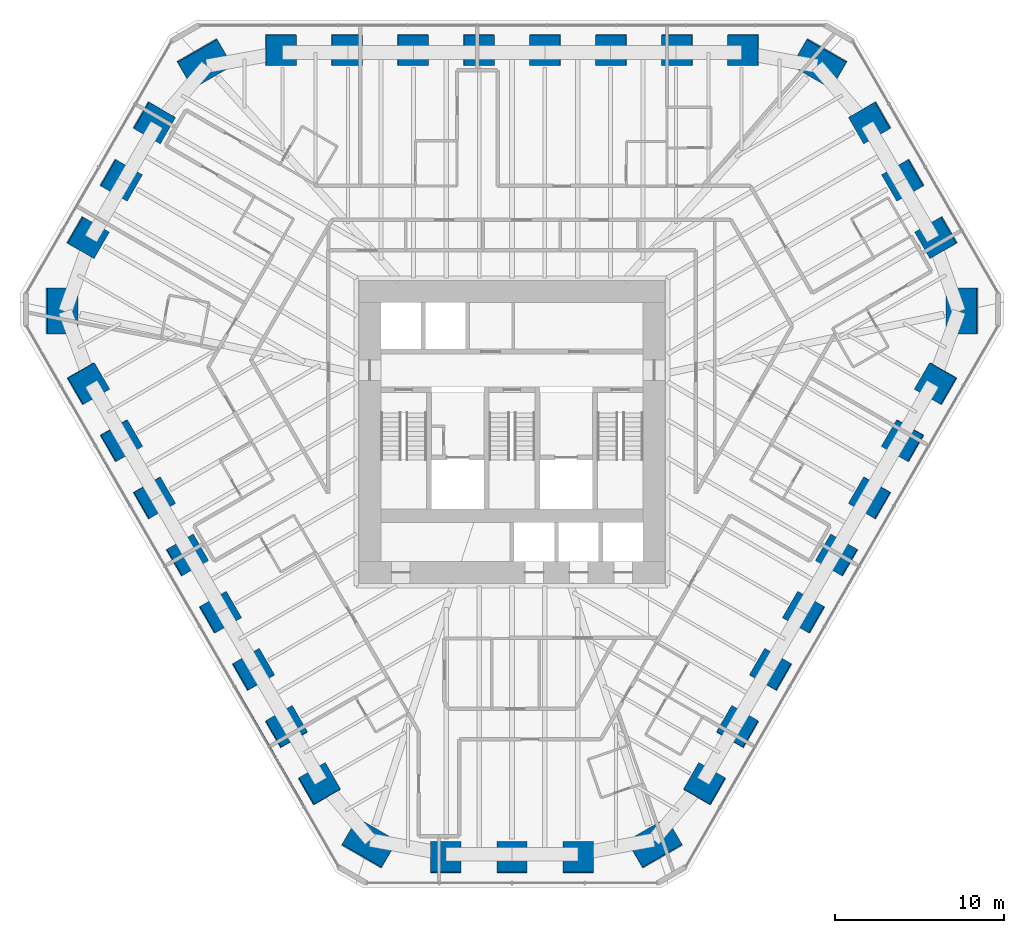
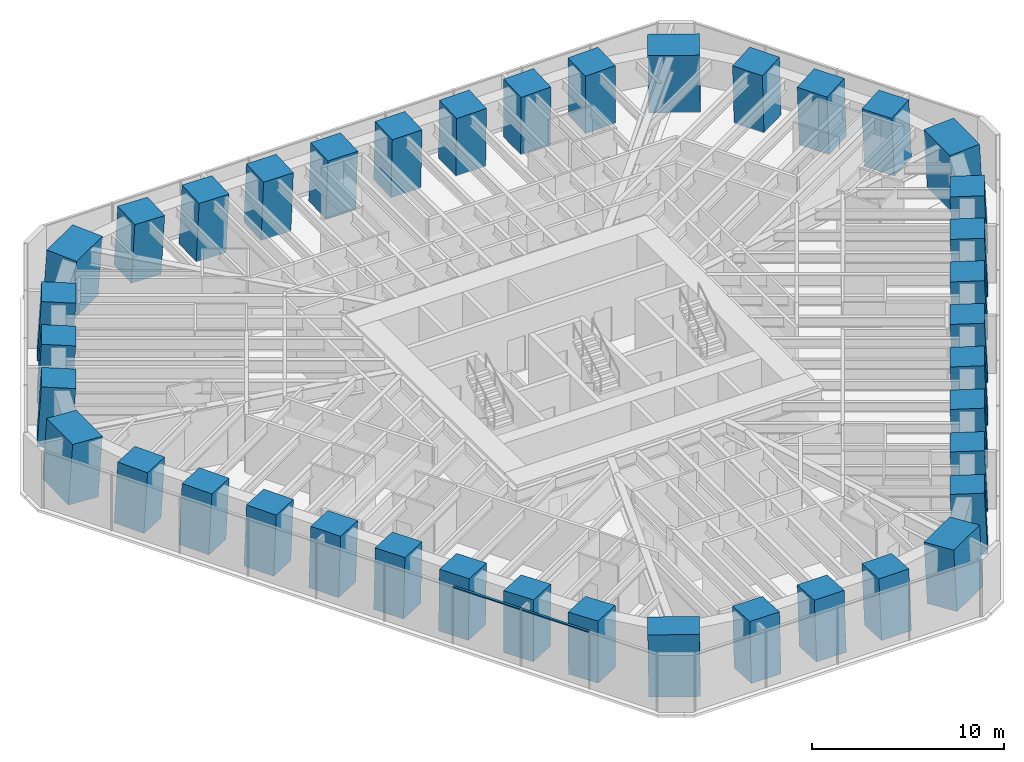
# One storey, part 1 of 18: 39 columns, 2 members, 1 element without a shape of its own.
"""IFC4 building model written with IfcOpenShell, lengths in metres."""

from ifc_helpers import new_model, si_unit, direction, frame, origin, origin_2d, place, context, subcontext, project, spatial, rectangle, extrude, material, material_profile, profile_set, type_object, element, aggregate, save


model = new_model("IFC4")

# Units and contexts
model_context = context("Model", 3, precision=1e-05, world=origin(), true_north=direction((0.0, 1.0)))
body_context = subcontext(model_context, "Body", "Model", "MODEL_VIEW")
ifc_project = project(units=[si_unit("LENGTHUNIT", "METRE"), si_unit("AREAUNIT", "SQUARE_METRE"), si_unit("VOLUMEUNIT", "CUBIC_METRE"), si_unit("PLANEANGLEUNIT", "RADIAN"), si_unit("MASSUNIT", "GRAM", prefix="KILO")], contexts=[model_context])

# Site, building, storey
site_placement = place(None, origin())
site = spatial("IfcSite", under=ifc_project, at=site_placement, CompositionType="ELEMENT")
building_placement = place(site_placement, origin())
building = spatial("IfcBuilding", under=site, at=building_placement, Name="Sandreach Pilgrim Tower", CompositionType="ELEMENT")
storey_placement = place(building_placement, frame((0.0, 0.0, 153.800048828125)))
storey = spatial("IfcBuildingStorey", under=building, at=storey_placement, Name="L38", CompositionType="ELEMENT", Elevation=153.800048828125)

# Columns
ifc_material_1 = material(Name="Concrete 10000 psi", Category="concrete")
ifc_material_profile_1 = material_profile(ifc_material_1, rectangle(XDim=1.800048828125, YDim=1.800048828125, at=origin_2d()), Name="RC1800X1800")
ifc_profile_set_1 = profile_set([ifc_material_profile_1], Name="Concrete 10000 psi")
column_type_1 = type_object("IfcColumnType", Name="Raked tube column RC1800X1800", PredefinedType="COLUMN", material=ifc_profile_set_1)
column_1_placement = place(storey_placement, frame((-13.6708984375, 21.05078125, 0.0), z_axis=(0.030661228378, -0.047210594322, 0.998414267155), x_axis=(0.001430243146, 0.998884958054, 0.047188928551)))
element("IfcColumn", 1, at=column_1_placement, inside=storey, type_object=column_type_1, Name="COL L38 T01", PredefinedType="COLUMN", context=body_context, shape_type="SweptSolid", body=[
    extrude(rectangle(XDim=1.800048828125, YDim=1.800048828125, at=origin_2d()), origin(), (0.0, 0.0, 1.0), 3.80615234375),
])
column_2_placement = place(storey_placement, frame((-9.76513671875, 21.051025390625, 0.0), z_axis=(0.021878437619, -0.047221495857, 0.998644813883), x_axis=(0.001498284872, 0.998884335352, 0.047199997152)))
element("IfcColumn", 2, at=column_2_placement, inside=storey, type_object=column_type_1, Name="COL L38 T02", PredefinedType="COLUMN", context=body_context, shape_type="SweptSolid", body=[
    extrude(rectangle(XDim=1.800048828125, YDim=1.800048828125, at=origin_2d()), origin(), (0.0, 0.0, 1.0), 3.80517578125),
])
column_3_placement = place(storey_placement, frame((-5.859130859375, 21.051513671875, 0.0), z_axis=(0.013154737098, -0.047228714653, 0.998797477672), x_axis=(0.000430917394, 0.998884083407, 0.047227134425)))
element("IfcColumn", 3, at=column_3_placement, inside=storey, type_object=column_type_1, Name="COL L38 T03", PredefinedType="COLUMN", context=body_context, shape_type="SweptSolid", body=[
    extrude(rectangle(XDim=1.800048828125, YDim=1.800048828125, at=origin_2d()), origin(), (0.0, 0.0, 1.0), 3.8046875),
])
for number, where, z_axis, x_axis, name in (
    (4, (-1.953125, 21.0517578125, 0.0), (0.004363858594, -0.047232351844, 0.998874397348), (0.000587857676, 0.998883856967, 0.047230230929), "COL L38 T04"),
    (5, (1.953125, 21.0517578125, 0.0), (-0.004363858594, -0.047232351844, 0.998874397348), (-0.000587857676, 0.998883856967, 0.047230230929), "COL L38 T05"),
):
    element("IfcColumn", number, at=place(storey_placement, frame(where, z_axis=z_axis, x_axis=x_axis)), inside=storey, type_object=column_type_1, Name=name, PredefinedType="COLUMN", context=body_context, shape_type="SweptSolid", body=[
        extrude(rectangle(XDim=1.800048828125, YDim=1.800048828125, at=origin_2d()), origin(), (0.0, 0.0, 1.0), 3.804443359375),
    ])
column_4_placement = place(storey_placement, frame((5.859130859375, 21.051513671875, 0.0), z_axis=(-0.013154737098, -0.047228714653, 0.998797477672), x_axis=(-0.000430917394, 0.998884083407, 0.047227134425)))
element("IfcColumn", 6, at=column_4_placement, inside=storey, type_object=column_type_1, Name="COL L38 T06", PredefinedType="COLUMN", context=body_context, shape_type="SweptSolid", body=[
    extrude(rectangle(XDim=1.800048828125, YDim=1.800048828125, at=origin_2d()), origin(), (0.0, 0.0, 1.0), 3.8046875),
])
column_5_placement = place(storey_placement, frame((9.76513671875, 21.051025390625, 0.0), z_axis=(-0.021878437619, -0.047221495857, 0.998644813883), x_axis=(-0.001498284872, 0.998884335352, 0.047199997152)))
element("IfcColumn", 7, at=column_5_placement, inside=storey, type_object=column_type_1, Name="COL L38 T07", PredefinedType="COLUMN", context=body_context, shape_type="SweptSolid", body=[
    extrude(rectangle(XDim=1.800048828125, YDim=1.800048828125, at=origin_2d()), origin(), (0.0, 0.0, 1.0), 3.80517578125),
])
column_6_placement = place(storey_placement, frame((13.6708984375, 21.05078125, 0.0), z_axis=(-0.030661228378, -0.047210594322, 0.998414267155), x_axis=(-0.001430243146, 0.998884958054, 0.047188928551)))
element("IfcColumn", 8, at=column_6_placement, inside=storey, type_object=column_type_1, Name="COL L38 T08", PredefinedType="COLUMN", context=body_context, shape_type="SweptSolid", body=[
    extrude(rectangle(XDim=1.800048828125, YDim=1.800048828125, at=origin_2d()), origin(), (0.0, 0.0, 1.0), 3.80615234375),
])
column_7_placement = place(storey_placement, frame((21.16552734375, 16.748291015625, 0.0), z_axis=(-0.046816513852, -0.037004285607, 0.998217860428), x_axis=(0.86504433807, 0.498209429097, 0.059039460802)))
element("IfcColumn", 9, at=column_7_placement, inside=storey, type_object=column_type_1, Name="COL L38 T10", PredefinedType="COLUMN", context=body_context, shape_type="SweptSolid", body=[
    extrude(rectangle(XDim=1.800048828125, YDim=1.800048828125, at=origin_2d()), origin(), (0.0, 0.0, 1.0), 3.806884765625),
])
column_8_placement = place(storey_placement, frame((23.126708984375, 13.352294921875, 0.0), z_axis=(-0.051115371342, -0.029501970913, 0.998256907076), x_axis=(0.864585430267, 0.499007902036, 0.059018196136)))
element("IfcColumn", 10, at=column_8_placement, inside=storey, type_object=column_type_1, Name="COL L38 T11", PredefinedType="COLUMN", context=body_context, shape_type="SweptSolid", body=[
    extrude(rectangle(XDim=1.800048828125, YDim=1.800048828125, at=origin_2d()), origin(), (0.0, 0.0, 1.0), 3.806640625),
])
column_9_placement = place(storey_placement, frame((25.087158203125, 9.955810546875, 0.0), z_axis=(-0.055410343702, -0.022061525733, 0.998219907081), x_axis=(0.863696932374, 0.500545652789, 0.059005580092)))
element("IfcColumn", 11, at=column_9_placement, inside=storey, type_object=column_type_1, Name="COL L38 T12", PredefinedType="COLUMN", context=body_context, shape_type="SweptSolid", body=[
    extrude(rectangle(XDim=1.800048828125, YDim=1.800048828125, at=origin_2d()), origin(), (0.0, 0.0, 1.0), 3.806884765625),
])
column_10_placement = place(storey_placement, frame((25.06591796875, 1.31396484375, 0.0), z_axis=(-0.056190949949, -0.002950666322, 0.998415680322), x_axis=(0.864380324341, -0.500621456598, 0.047167913724)))
element("IfcColumn", 12, at=column_10_placement, inside=storey, type_object=column_type_1, Name="COL L38 T14", PredefinedType="COLUMN", context=body_context, shape_type="SweptSolid", body=[
    extrude(rectangle(XDim=1.800048828125, YDim=1.800048828125, at=origin_2d()), origin(), (0.0, 0.0, 1.0), 3.80615234375),
])
column_11_placement = place(storey_placement, frame((23.11328125, -2.068603515625, 0.0), z_axis=(-0.051840982441, 0.004619493485, 0.998644667947), x_axis=(0.864736789886, -0.500002204734, 0.047202536779)))
element("IfcColumn", 13, at=column_11_placement, inside=storey, type_object=column_type_1, Name="COL L38 T15", PredefinedType="COLUMN", context=body_context, shape_type="SweptSolid", body=[
    extrude(rectangle(XDim=1.800048828125, YDim=1.800048828125, at=origin_2d()), origin(), (0.0, 0.0, 1.0), 3.80517578125),
])
column_12_placement = place(storey_placement, frame((21.16064453125, -5.451416015625, 0.0), z_axis=(-0.047485394503, 0.012192195886, 0.998797520856), x_axis=(0.865155048747, -0.499275895122, 0.047226286935)))
element("IfcColumn", 14, at=column_12_placement, inside=storey, type_object=column_type_1, Name="COL L38 T16", PredefinedType="COLUMN", context=body_context, shape_type="SweptSolid", body=[
    extrude(rectangle(XDim=1.800048828125, YDim=1.800048828125, at=origin_2d()), origin(), (0.0, 0.0, 1.0), 3.8046875),
])
for number, where, z_axis, x_axis, name in (
    (15, (19.2080078125, -8.83447265625, 0.0), (-0.043125124656, 0.019829856427, 0.998872864992), (0.865002196318, -0.499537256443, 0.047262350669), "COL L38 T17"),
    (16, (17.2548828125, -12.21728515625, 0.0), (-0.038697188268, 0.027402486551, 0.998875183069), (0.865138563863, -0.499305644722, 0.047213752927), "COL L38 T18"),
):
    element("IfcColumn", number, at=place(storey_placement, frame(where, z_axis=z_axis, x_axis=x_axis)), inside=storey, type_object=column_type_1, Name=name, PredefinedType="COLUMN", context=body_context, shape_type="SweptSolid", body=[
        extrude(rectangle(XDim=1.800048828125, YDim=1.800048828125, at=origin_2d()), origin(), (0.0, 0.0, 1.0), 3.804443359375),
    ])
column_13_placement = place(storey_placement, frame((15.301513671875, -15.599853515625, 0.0), z_axis=(-0.034330688643, 0.034972383758, 0.99879844623), x_axis=(0.86556895094, -0.498559709879, 0.047208122752)))
element("IfcColumn", 17, at=column_13_placement, inside=storey, type_object=column_type_1, Name="COL L38 T19", PredefinedType="COLUMN", context=body_context, shape_type="SweptSolid", body=[
    extrude(rectangle(XDim=1.800048828125, YDim=1.800048828125, at=origin_2d()), origin(), (0.0, 0.0, 1.0), 3.8046875),
])
column_14_placement = place(storey_placement, frame((13.34814453125, -18.982421875, 0.0), z_axis=(-0.029898388142, 0.042601995121, 0.998644659725), x_axis=(0.865115920667, -0.499345923007, 0.047202679853)))
element("IfcColumn", 18, at=column_14_placement, inside=storey, type_object=column_type_1, Name="COL L38 T20", PredefinedType="COLUMN", context=body_context, shape_type="SweptSolid", body=[
    extrude(rectangle(XDim=1.800048828125, YDim=1.800048828125, at=origin_2d()), origin(), (0.0, 0.0, 1.0), 3.80517578125),
])
column_15_placement = place(storey_placement, frame((11.39501953125, -22.36474609375, 0.0), z_axis=(-0.025593758171, 0.050161200226, 0.998413147717), x_axis=(0.866070092213, -0.497688888416, 0.047205568746)))
element("IfcColumn", 19, at=column_15_placement, inside=storey, type_object=column_type_1, Name="COL L38 T21", PredefinedType="COLUMN", context=body_context, shape_type="SweptSolid", body=[
    extrude(rectangle(XDim=1.800048828125, YDim=1.800048828125, at=origin_2d()), origin(), (0.0, 0.0, 1.0), 3.80615234375),
])
column_16_placement = place(storey_placement, frame((3.921630859375, -26.7041015625, 0.0), z_axis=(-0.008657837111, 0.059065688733, 0.998216552794), x_axis=(-0.000785248588, -0.998254060926, 0.059061097434)))
element("IfcColumn", 20, at=column_16_placement, inside=storey, type_object=column_type_1, Name="COL L38 T23", PredefinedType="COLUMN", context=body_context, shape_type="SweptSolid", body=[
    extrude(rectangle(XDim=1.800048828125, YDim=1.800048828125, at=origin_2d()), origin(), (0.0, 0.0, 1.0), 3.806884765625),
])
column_17_placement = place(storey_placement, frame((0.0, -26.704345703125, 0.0), z_axis=(0.0, 0.059003991457, 0.998257746773), x_axis=(0.0, -0.998257746773, 0.059003991457)))
element("IfcColumn", 21, at=column_17_placement, inside=storey, type_object=column_type_1, Name="COL L38 T24", PredefinedType="COLUMN", context=body_context, shape_type="SweptSolid", body=[
    extrude(rectangle(XDim=1.800048828125, YDim=1.800048828125, at=origin_2d()), origin(), (0.0, 0.0, 1.0), 3.806640625),
])
column_18_placement = place(storey_placement, frame((-3.921630859375, -26.7041015625, 0.0), z_axis=(0.008657837111, 0.059065688733, 0.998216552794), x_axis=(0.000785248588, -0.998254060926, 0.059061097434)))
element("IfcColumn", 22, at=column_18_placement, inside=storey, type_object=column_type_1, Name="COL L38 T25", PredefinedType="COLUMN", context=body_context, shape_type="SweptSolid", body=[
    extrude(rectangle(XDim=1.800048828125, YDim=1.800048828125, at=origin_2d()), origin(), (0.0, 0.0, 1.0), 3.806884765625),
])
column_19_placement = place(storey_placement, frame((-11.39501953125, -22.36474609375, 0.0), z_axis=(0.025593758171, 0.050161200226, 0.998413147717), x_axis=(-0.866070092213, -0.497688888416, 0.047205568746)))
element("IfcColumn", 23, at=column_19_placement, inside=storey, type_object=column_type_1, Name="COL L38 T27", PredefinedType="COLUMN", context=body_context, shape_type="SweptSolid", body=[
    extrude(rectangle(XDim=1.800048828125, YDim=1.800048828125, at=origin_2d()), origin(), (0.0, 0.0, 1.0), 3.80615234375),
])
column_20_placement = place(storey_placement, frame((-13.34814453125, -18.982421875, 0.0), z_axis=(0.029898388142, 0.042601995121, 0.998644659725), x_axis=(-0.865115920667, -0.499345923007, 0.047202679853)))
element("IfcColumn", 24, at=column_20_placement, inside=storey, type_object=column_type_1, Name="COL L38 T28", PredefinedType="COLUMN", context=body_context, shape_type="SweptSolid", body=[
    extrude(rectangle(XDim=1.800048828125, YDim=1.800048828125, at=origin_2d()), origin(), (0.0, 0.0, 1.0), 3.80517578125),
])
column_21_placement = place(storey_placement, frame((-15.301513671875, -15.599853515625, 0.0), z_axis=(0.034330688643, 0.034972383758, 0.99879844623), x_axis=(-0.86556895094, -0.498559709879, 0.047208122752)))
element("IfcColumn", 25, at=column_21_placement, inside=storey, type_object=column_type_1, Name="COL L38 T29", PredefinedType="COLUMN", context=body_context, shape_type="SweptSolid", body=[
    extrude(rectangle(XDim=1.800048828125, YDim=1.800048828125, at=origin_2d()), origin(), (0.0, 0.0, 1.0), 3.8046875),
])
for number, where, z_axis, x_axis, name in (
    (26, (-17.2548828125, -12.21728515625, 0.0), (0.038697188268, 0.027402486551, 0.998875183069), (-0.865138563863, -0.499305644722, 0.047213752927), "COL L38 T30"),
    (27, (-19.2080078125, -8.83447265625, 0.0), (0.043125124656, 0.019829856427, 0.998872864992), (-0.865002196318, -0.499537256443, 0.047262350669), "COL L38 T31"),
):
    element("IfcColumn", number, at=place(storey_placement, frame(where, z_axis=z_axis, x_axis=x_axis)), inside=storey, type_object=column_type_1, Name=name, PredefinedType="COLUMN", context=body_context, shape_type="SweptSolid", body=[
        extrude(rectangle(XDim=1.800048828125, YDim=1.800048828125, at=origin_2d()), origin(), (0.0, 0.0, 1.0), 3.804443359375),
    ])
column_22_placement = place(storey_placement, frame((-21.16064453125, -5.451416015625, 0.0), z_axis=(0.047485394503, 0.012192195886, 0.998797520856), x_axis=(-0.865155048747, -0.499275895122, 0.047226286935)))
element("IfcColumn", 28, at=column_22_placement, inside=storey, type_object=column_type_1, Name="COL L38 T32", PredefinedType="COLUMN", context=body_context, shape_type="SweptSolid", body=[
    extrude(rectangle(XDim=1.800048828125, YDim=1.800048828125, at=origin_2d()), origin(), (0.0, 0.0, 1.0), 3.8046875),
])
column_23_placement = place(storey_placement, frame((-23.11328125, -2.068603515625, 0.0), z_axis=(0.051840982441, 0.004619493485, 0.998644667947), x_axis=(-0.864736789886, -0.500002204734, 0.047202536779)))
element("IfcColumn", 29, at=column_23_placement, inside=storey, type_object=column_type_1, Name="COL L38 T33", PredefinedType="COLUMN", context=body_context, shape_type="SweptSolid", body=[
    extrude(rectangle(XDim=1.800048828125, YDim=1.800048828125, at=origin_2d()), origin(), (0.0, 0.0, 1.0), 3.80517578125),
])
column_24_placement = place(storey_placement, frame((-25.06591796875, 1.31396484375, 0.0), z_axis=(0.056190949949, -0.002950666322, 0.998415680322), x_axis=(-0.864380324341, -0.500621456598, 0.047167913724)))
element("IfcColumn", 30, at=column_24_placement, inside=storey, type_object=column_type_1, Name="COL L38 T34", PredefinedType="COLUMN", context=body_context, shape_type="SweptSolid", body=[
    extrude(rectangle(XDim=1.800048828125, YDim=1.800048828125, at=origin_2d()), origin(), (0.0, 0.0, 1.0), 3.80615234375),
])
column_25_placement = place(storey_placement, frame((-25.087158203125, 9.955810546875, 0.0), z_axis=(0.055410343702, -0.022061525733, 0.998219907081), x_axis=(-0.863696932374, 0.500545652789, 0.059005580092)))
element("IfcColumn", 31, at=column_25_placement, inside=storey, type_object=column_type_1, Name="COL L38 T36", PredefinedType="COLUMN", context=body_context, shape_type="SweptSolid", body=[
    extrude(rectangle(XDim=1.800048828125, YDim=1.800048828125, at=origin_2d()), origin(), (0.0, 0.0, 1.0), 3.806884765625),
])
column_26_placement = place(storey_placement, frame((-23.126708984375, 13.352294921875, 0.0), z_axis=(0.051115371342, -0.029501970913, 0.998256907076), x_axis=(-0.864585430267, 0.499007902036, 0.059018196136)))
element("IfcColumn", 32, at=column_26_placement, inside=storey, type_object=column_type_1, Name="COL L38 T37", PredefinedType="COLUMN", context=body_context, shape_type="SweptSolid", body=[
    extrude(rectangle(XDim=1.800048828125, YDim=1.800048828125, at=origin_2d()), origin(), (0.0, 0.0, 1.0), 3.806640625),
])
column_27_placement = place(storey_placement, frame((-21.16552734375, 16.748291015625, 0.0), z_axis=(0.046816513852, -0.037004285607, 0.998217860428), x_axis=(-0.86504433807, 0.498209429097, 0.059039460802)))
element("IfcColumn", 33, at=column_27_placement, inside=storey, type_object=column_type_1, Name="COL L38 T38", PredefinedType="COLUMN", context=body_context, shape_type="SweptSolid", body=[
    extrude(rectangle(XDim=1.800048828125, YDim=1.800048828125, at=origin_2d()), origin(), (0.0, 0.0, 1.0), 3.806884765625),
])
ifc_material_2 = material(Name="Concrete 10000 psi", Category="concrete")
ifc_material_profile_2 = material_profile(ifc_material_2, rectangle(XDim=1.800048828125, YDim=2.699951171875, at=origin_2d()), Name="RC1800X2700")
ifc_profile_set_2 = profile_set([ifc_material_profile_2], Name="Concrete 10000 psi")
column_type_2 = type_object("IfcColumnType", Name="Raked tube corner pier RC1800X2700", PredefinedType="COLUMN", material=ifc_profile_set_2)
for number, where, z_axis, x_axis, name in (
    (34, (18.179931640625, 20.246337890625, 0.0), (-0.041104111089, -0.045785234505, 0.998105287208), (0.498342902409, 0.864887659108, 0.060197082496), "COL L38 T09"),
    (35, (26.623779296875, 5.62109375, 0.0), (-0.06021332392, -0.012696739229, 0.998104778285), (0.998185498237, -0.001024676941, 0.060205158806), "COL L38 T13"),
    (36, (8.44384765625, -25.867431640625, 0.0), (-0.019109248601, 0.058481995719, 0.998105551931), (0.500012624267, -0.863923719226, 0.060192881077), "COL L38 T22"),
    (37, (-8.44384765625, -25.867431640625, 0.0), (0.019109248601, 0.058481995719, 0.998105551931), (-0.500012624267, -0.863923719226, 0.060192881077), "COL L38 T26"),
    (38, (-26.623779296875, 5.62109375, 0.0), (0.06021332392, -0.012696739229, 0.998104778285), (-0.998185498237, -0.001024676941, 0.060205158806), "COL L38 T35"),
    (39, (-18.179931640625, 20.246337890625, 0.0), (0.041104111089, -0.045785234505, 0.998105287208), (-0.498342902409, 0.864887659108, 0.060197082496), "COL L38 T39"),
):
    element("IfcColumn", number, at=place(storey_placement, frame(where, z_axis=z_axis, x_axis=x_axis)), inside=storey, type_object=column_type_2, Name=name, PredefinedType="COLUMN", context=body_context, shape_type="SweptSolid", body=[
        extrude(rectangle(XDim=1.800048828125, YDim=2.699951171875, at=origin_2d()), origin(), (0.0, 0.0, 1.0), 3.807373046875),
    ])

# Curtain wall, members
ifc_material_3 = material(Name="Aluminium framed curtain wall", Category="aluminium")
curtain_wall_type = type_object("IfcCurtainWallType", Name="Hotel tower curtain wall", PredefinedType="NOTDEFINED", material=ifc_material_3)
curtain_wall_placement = place(storey_placement, origin())
curtain_wall = element("IfcCurtainWall", 40, at=curtain_wall_placement, inside=storey, type_object=curtain_wall_type, Name="CW-2 L38 SW", PredefinedType="NOTDEFINED")
ifc_material_4 = material(Name="Aluminium extrusion", Category="aluminium")
ifc_material_profile_3 = material_profile(ifc_material_4, rectangle(XDim=0.139892578125, YDim=0.070068359375, at=origin_2d()), Name="CW-2T 140X70")
ifc_profile_set_3 = profile_set([ifc_material_profile_3], Name="Aluminium extrusion")
member_type = type_object("IfcMemberType", Name="CW-2 transom", PredefinedType="USERDEFINED", material=ifc_profile_set_3)
member_1_placement = place(storey_placement, frame((-12.309326171875, -23.667236328125, 3.60498046875), z_axis=(-0.500023973715, 0.866011562111, 0.0), x_axis=(-0.866011562111, -0.500023973715, 0.0)))
member_1 = element("IfcMember", 41, at=member_1_placement, type_object=member_type, Name="CW-2 head transom 2", ObjectType="TRANSOM", PredefinedType="USERDEFINED", context=body_context, shape_type="SweptSolid", body=[
    extrude(rectangle(XDim=0.139892578125, YDim=0.070068359375, at=origin_2d()), origin(), (0.0, 0.0, 1.0), 4.041748046875),
])
member_2_placement = place(storey_placement, frame((-14.36279296875, -20.110595703125, 3.60498046875), z_axis=(-0.499997818338, 0.866026663364, 0.0), x_axis=(-0.866026663364, -0.499997818338, 0.0)))
member_2 = element("IfcMember", 42, at=member_2_placement, type_object=member_type, Name="CW-2 head transom 3", ObjectType="TRANSOM", PredefinedType="USERDEFINED", context=body_context, shape_type="SweptSolid", body=[
    extrude(rectangle(XDim=0.139892578125, YDim=0.070068359375, at=origin_2d()), origin(), (0.0, 0.0, 1.0), 4.0419921875),
])
aggregate(curtain_wall, [member_1, member_2])

save(model, "model.ifc")
